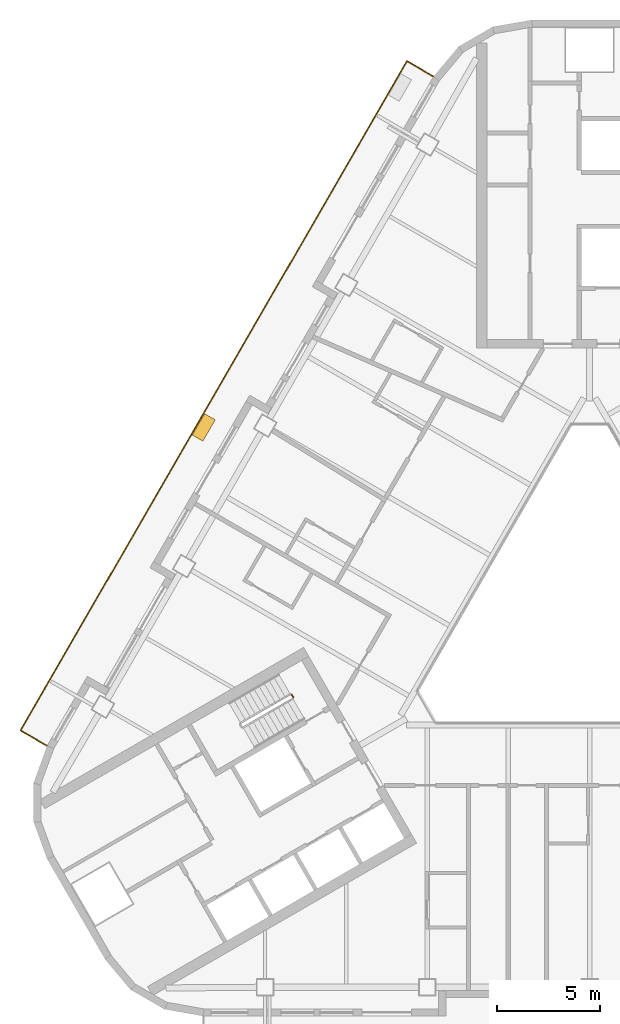
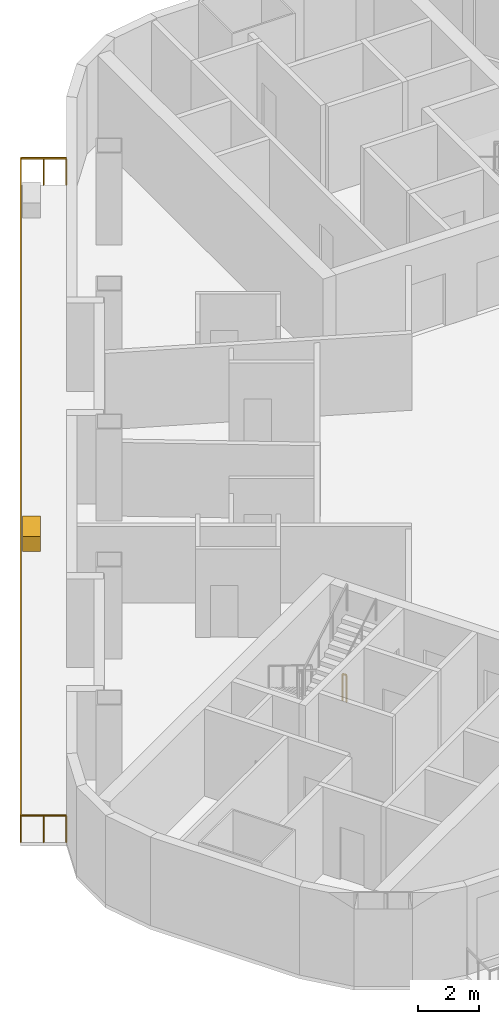
# One storey, part 11 of 14: 2 railings, 1 covering.
"""IFC4 building model written with IfcOpenShell, lengths in metres."""

from ifc_helpers import new_model, si_unit, direction, frame, origin, origin_2d, place, context, subcontext, project, spatial, rectangle, extrude, material, type_object, element, save


model = new_model("IFC4")

# Units and contexts
model_context = context("Model", 3, precision=1e-05, world=origin(), true_north=direction((0.0, 1.0)))
body_context = subcontext(model_context, "Body", "Model", "MODEL_VIEW")
ifc_project = project(units=[si_unit("LENGTHUNIT", "METRE"), si_unit("AREAUNIT", "SQUARE_METRE"), si_unit("VOLUMEUNIT", "CUBIC_METRE"), si_unit("PLANEANGLEUNIT", "RADIAN"), si_unit("MASSUNIT", "GRAM", prefix="KILO")], contexts=[model_context])

# Site, building, storey
site_placement = place(None, origin())
site = spatial("IfcSite", under=ifc_project, at=site_placement, CompositionType="ELEMENT")
building_placement = place(site_placement, origin())
building = spatial("IfcBuilding", under=site, at=building_placement, Name="Apuvela Tower Hotel", CompositionType="ELEMENT")
storey_placement = place(building_placement, frame((0.0, 0.0, 179.89990234375)))
storey = spatial("IfcBuildingStorey", under=building, at=storey_placement, Name="L43", CompositionType="ELEMENT", Elevation=179.89990234375)

# Railings
ifc_material_1 = material(Name="Steel S275 balustrade", Category="steel")
railing_type_1 = type_object("IfcRailingType", Name="COR-GUARD-1100", PredefinedType="GUARDRAIL", material=ifc_material_1)
railing_1_placement = place(storey_placement, frame((-14.500732421875, -3.984130859375, 0.0)))
element("IfcRailing", 1, at=railing_1_placement, inside=storey, type_object=railing_type_1, Name="L43 ST2 stair guard 4", PredefinedType="GUARDRAIL", context=body_context, shape_type="SweptSolid", body=[
    extrude(rectangle(XDim=0.048095703125, YDim=0.048095703125, at=origin_2d()), frame((0.0, 0.0, 1.076171875), z_axis=(0.499816412211, -0.866131372301, 0.0), x_axis=(0.866131372301, 0.499816412211, 0.0)), (0.0, 0.0, 1.0), 0.14990234375),
    extrude(rectangle(XDim=0.0419921875, YDim=0.0419921875, at=origin_2d()), origin(), (0.0, 0.0, 1.0), 1.052001953125),
    extrude(rectangle(XDim=0.0419921875, YDim=0.0419921875, at=origin_2d()), frame((0.074951171875, -0.1298828125, 0.0)), (0.0, 0.0, 1.0), 1.052001953125),
])
ifc_material_2 = material(Name="Stainless steel 316 rail with laminated glass infill", Category="steel")
railing_type_2 = type_object("IfcRailingType", Name="ENV-GUARD-1100", PredefinedType="GUARDRAIL", material=ifc_material_2)
railing_2_placement = place(storey_placement, frame((-7.59228515625, 26.110107421875, 0.0)))
element("IfcRailing", 2, at=railing_2_placement, inside=storey, type_object=railing_type_2, Name="Balcony guard NW L43", PredefinedType="GUARDRAIL", context=body_context, shape_type="SweptSolid", body=[
    extrude(rectangle(XDim=0.050048828125, YDim=0.050048828125, at=origin_2d()), frame((0.0, 0.0, 1.0751953125), z_axis=(-0.86599040064, 0.500060622324, 0.0), x_axis=(-0.500060622324, -0.86599040064, 0.0)), (0.0, 0.0, 1.0), 1.499755859375),
    extrude(rectangle(XDim=0.050048828125, YDim=0.050048828125, at=origin_2d()), frame((-1.298828125, 0.75, 1.0751953125), z_axis=(-0.500000437506, -0.86602515119, 0.0), x_axis=(0.86602515119, -0.500000437506, 0.0)), (0.0, 0.0, 1.0), 37.6318359375),
    extrude(rectangle(XDim=0.050048828125, YDim=0.050048828125, at=origin_2d()), frame((-20.11474609375, -31.840087890625, 1.0751953125), z_axis=(0.866031096941, -0.499990139034, 0.0), x_axis=(0.499990139034, 0.866031096941, 0.0)), (0.0, 0.0, 1.0), 1.5),
    extrude(rectangle(XDim=0.0400390625, YDim=0.0400390625, at=origin_2d()), origin(), (0.0, 0.0, 1.0), 1.050048828125),
    extrude(rectangle(XDim=0.0400390625, YDim=0.0400390625, at=origin_2d()), frame((-0.6494140625, 0.375, 0.0)), (0.0, 0.0, 1.0), 1.050048828125),
    extrude(rectangle(XDim=0.0400390625, YDim=0.0400390625, at=origin_2d()), frame((-1.298828125, 0.75, 0.0)), (0.0, 0.0, 1.0), 1.050048828125),
    extrude(rectangle(XDim=0.0400390625, YDim=0.0400390625, at=origin_2d()), frame((-1.88671875, -0.2685546875, 0.0)), (0.0, 0.0, 1.0), 1.050048828125),
    extrude(rectangle(XDim=0.0400390625, YDim=0.0400390625, at=origin_2d()), frame((-2.474853515625, -1.286865234375, 0.0)), (0.0, 0.0, 1.0), 1.050048828125),
    extrude(rectangle(XDim=0.0400390625, YDim=0.0400390625, at=origin_2d()), frame((-3.062744140625, -2.305419921875, 0.0)), (0.0, 0.0, 1.0), 1.050048828125),
    extrude(rectangle(XDim=0.0400390625, YDim=0.0400390625, at=origin_2d()), frame((-3.65087890625, -3.32373046875, 0.0)), (0.0, 0.0, 1.0), 1.050048828125),
    extrude(rectangle(XDim=0.0400390625, YDim=0.0400390625, at=origin_2d()), frame((-4.23876953125, -4.34228515625, 0.0)), (0.0, 0.0, 1.0), 1.050048828125),
    extrude(rectangle(XDim=0.0400390625, YDim=0.0400390625, at=origin_2d()), frame((-4.826904296875, -5.360595703125, 0.0)), (0.0, 0.0, 1.0), 1.050048828125),
    extrude(rectangle(XDim=0.0400390625, YDim=0.0400390625, at=origin_2d()), frame((-5.414794921875, -6.379150390625, 0.0)), (0.0, 0.0, 1.0), 1.050048828125),
    extrude(rectangle(XDim=0.0400390625, YDim=0.0400390625, at=origin_2d()), frame((-6.0029296875, -7.3974609375, 0.0)), (0.0, 0.0, 1.0), 1.050048828125),
    extrude(rectangle(XDim=0.0400390625, YDim=0.0400390625, at=origin_2d()), frame((-6.5908203125, -8.416015625, 0.0)), (0.0, 0.0, 1.0), 1.050048828125),
    extrude(rectangle(XDim=0.0400390625, YDim=0.0400390625, at=origin_2d()), frame((-7.1787109375, -9.434326171875, 0.0)), (0.0, 0.0, 1.0), 1.050048828125),
    extrude(rectangle(XDim=0.0400390625, YDim=0.0400390625, at=origin_2d()), frame((-7.766845703125, -10.452880859375, 0.0)), (0.0, 0.0, 1.0), 1.050048828125),
    extrude(rectangle(XDim=0.0400390625, YDim=0.0400390625, at=origin_2d()), frame((-8.354736328125, -11.47119140625, 0.0)), (0.0, 0.0, 1.0), 1.050048828125),
    extrude(rectangle(XDim=0.0400390625, YDim=0.0400390625, at=origin_2d()), frame((-8.94287109375, -12.48974609375, 0.0)), (0.0, 0.0, 1.0), 1.050048828125),
    extrude(rectangle(XDim=0.0400390625, YDim=0.0400390625, at=origin_2d()), frame((-9.53076171875, -13.508056640625, 0.0)), (0.0, 0.0, 1.0), 1.050048828125),
    extrude(rectangle(XDim=0.0400390625, YDim=0.0400390625, at=origin_2d()), frame((-10.118896484375, -14.526611328125, 0.0)), (0.0, 0.0, 1.0), 1.050048828125),
    extrude(rectangle(XDim=0.0400390625, YDim=0.0400390625, at=origin_2d()), frame((-10.706787109375, -15.544921875, 0.0)), (0.0, 0.0, 1.0), 1.050048828125),
    extrude(rectangle(XDim=0.0400390625, YDim=0.0400390625, at=origin_2d()), frame((-11.294677734375, -16.5634765625, 0.0)), (0.0, 0.0, 1.0), 1.050048828125),
    extrude(rectangle(XDim=0.0400390625, YDim=0.0400390625, at=origin_2d()), frame((-11.8828125, -17.58203125, 0.0)), (0.0, 0.0, 1.0), 1.050048828125),
    extrude(rectangle(XDim=0.0400390625, YDim=0.0400390625, at=origin_2d()), frame((-12.470703125, -18.600341796875, 0.0)), (0.0, 0.0, 1.0), 1.050048828125),
    extrude(rectangle(XDim=0.0400390625, YDim=0.0400390625, at=origin_2d()), frame((-13.058837890625, -19.618896484375, 0.0)), (0.0, 0.0, 1.0), 1.050048828125),
    extrude(rectangle(XDim=0.0400390625, YDim=0.0400390625, at=origin_2d()), frame((-13.646728515625, -20.63720703125, 0.0)), (0.0, 0.0, 1.0), 1.050048828125),
    extrude(rectangle(XDim=0.0400390625, YDim=0.0400390625, at=origin_2d()), frame((-14.23486328125, -21.65576171875, 0.0)), (0.0, 0.0, 1.0), 1.050048828125),
    extrude(rectangle(XDim=0.0400390625, YDim=0.0400390625, at=origin_2d()), frame((-14.82275390625, -22.674072265625, 0.0)), (0.0, 0.0, 1.0), 1.050048828125),
    extrude(rectangle(XDim=0.0400390625, YDim=0.0400390625, at=origin_2d()), frame((-15.41064453125, -23.692626953125, 0.0)), (0.0, 0.0, 1.0), 1.050048828125),
    extrude(rectangle(XDim=0.0400390625, YDim=0.0400390625, at=origin_2d()), frame((-15.998779296875, -24.7109375, 0.0)), (0.0, 0.0, 1.0), 1.050048828125),
    extrude(rectangle(XDim=0.0400390625, YDim=0.0400390625, at=origin_2d()), frame((-16.586669921875, -25.7294921875, 0.0)), (0.0, 0.0, 1.0), 1.050048828125),
    extrude(rectangle(XDim=0.0400390625, YDim=0.0400390625, at=origin_2d()), frame((-17.1748046875, -26.747802734375, 0.0)), (0.0, 0.0, 1.0), 1.050048828125),
    extrude(rectangle(XDim=0.0400390625, YDim=0.0400390625, at=origin_2d()), frame((-17.7626953125, -27.766357421875, 0.0)), (0.0, 0.0, 1.0), 1.050048828125),
    extrude(rectangle(XDim=0.0400390625, YDim=0.0400390625, at=origin_2d()), frame((-18.350830078125, -28.78466796875, 0.0)), (0.0, 0.0, 1.0), 1.050048828125),
    extrude(rectangle(XDim=0.0400390625, YDim=0.0400390625, at=origin_2d()), frame((-18.938720703125, -29.80322265625, 0.0)), (0.0, 0.0, 1.0), 1.050048828125),
    extrude(rectangle(XDim=0.0400390625, YDim=0.0400390625, at=origin_2d()), frame((-19.52685546875, -30.821533203125, 0.0)), (0.0, 0.0, 1.0), 1.050048828125),
    extrude(rectangle(XDim=0.0400390625, YDim=0.0400390625, at=origin_2d()), frame((-20.11474609375, -31.840087890625, 0.0)), (0.0, 0.0, 1.0), 1.050048828125),
    extrude(rectangle(XDim=0.0400390625, YDim=0.0400390625, at=origin_2d()), frame((-19.46533203125, -32.215087890625, 0.0)), (0.0, 0.0, 1.0), 1.050048828125),
    extrude(rectangle(XDim=0.0400390625, YDim=0.0400390625, at=origin_2d()), frame((-18.815673828125, -32.590087890625, 0.0)), (0.0, 0.0, 1.0), 1.050048828125),
])

# Covering
ifc_material_3 = material(Name="Planting substrate and soil, planted")
covering_type = type_object("IfcCoveringType", Name="ENV-PLANTER-1200x600", PredefinedType="USERDEFINED", material=ifc_material_3)
covering_placement = place(storey_placement, frame((-18.78369140625, 9.02587890625, 0.0), z_axis=(0.0, 0.0, 1.0), x_axis=(-0.5, -0.866025403784, 0.0)))
element("IfcCovering", 3, at=covering_placement, inside=storey, type_object=covering_type, Name="Planter NW5", ObjectType="PLANTER", PredefinedType="USERDEFINED", context=body_context, shape_type="SweptSolid", body=[
    extrude(rectangle(XDim=1.199951171875, YDim=0.60009765625, at=origin_2d()), origin(), (0.0, 0.0, 1.0), 0.60009765625),
])

save(model, "model.ifc")
